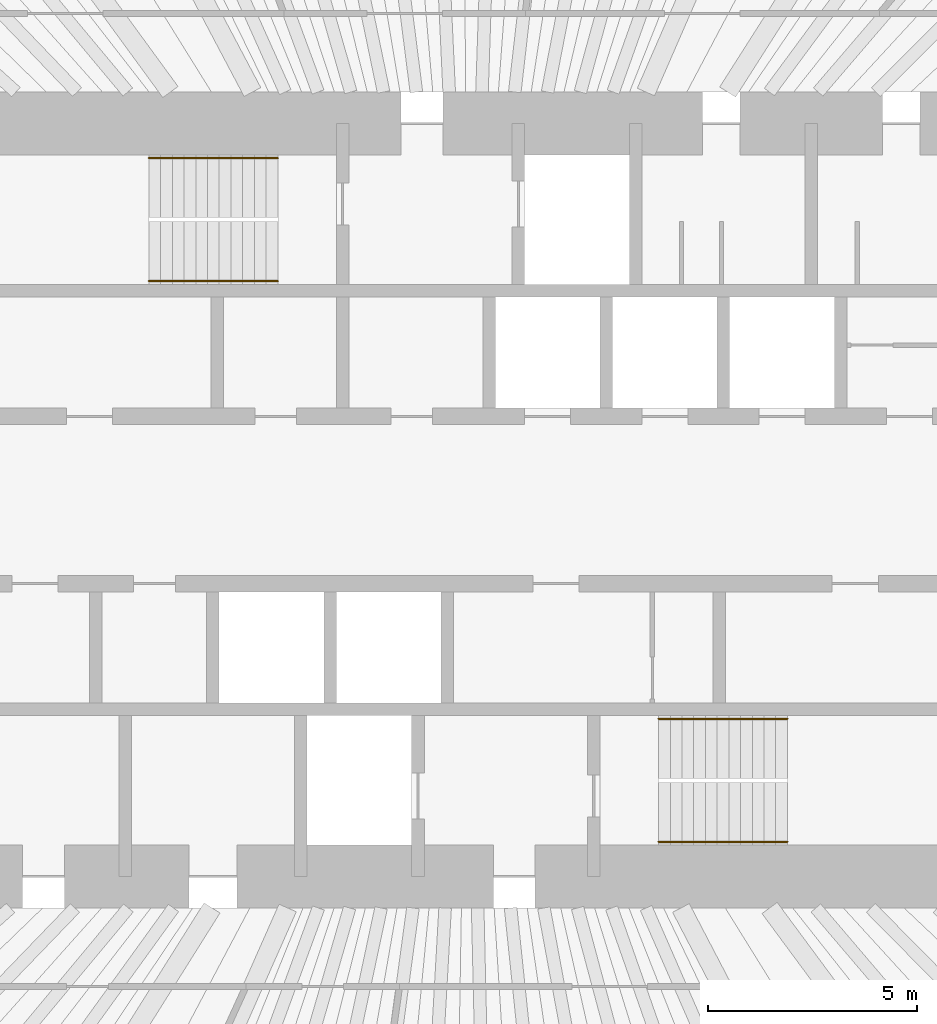
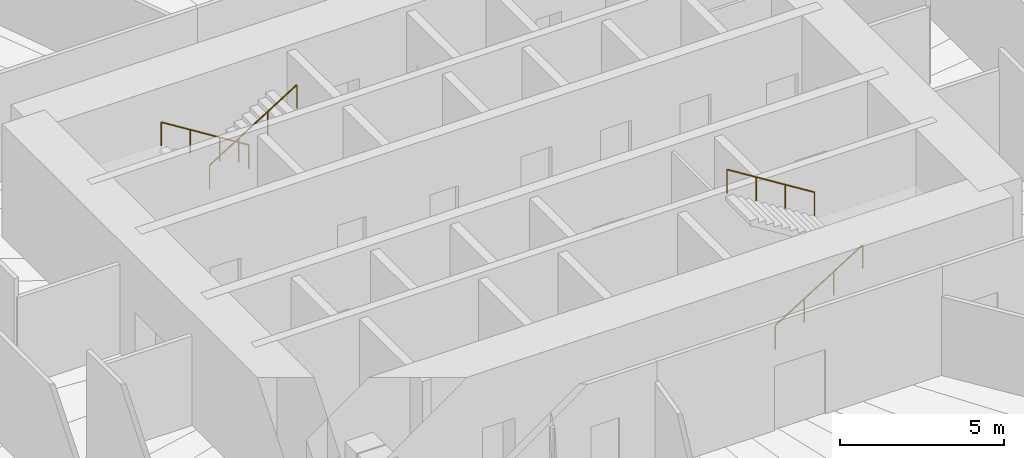
# One storey, part 13 of 13: 4 railings.
"""IFC4 building model written with IfcOpenShell, lengths in metres."""

from ifc_helpers import new_model, si_unit, direction, frame, origin, origin_2d, place, context, subcontext, project, spatial, circle, extrude, material, type_object, element, save


model = new_model("IFC4")

# Units and contexts
model_context = context("Model", 3, precision=1e-05, world=origin(), true_north=direction((0.0, 1.0)))
body_context = subcontext(model_context, "Body", "Model", "MODEL_VIEW")
ifc_project = project(units=[si_unit("LENGTHUNIT", "METRE"), si_unit("AREAUNIT", "SQUARE_METRE"), si_unit("VOLUMEUNIT", "CUBIC_METRE"), si_unit("PLANEANGLEUNIT", "RADIAN"), si_unit("MASSUNIT", "GRAM", prefix="KILO")], contexts=[model_context])

# Site, building, storey
site_placement = place(None, origin())
site = spatial("IfcSite", under=ifc_project, at=site_placement, CompositionType="ELEMENT")
building_placement = place(site_placement, origin())
building = spatial("IfcBuilding", under=site, at=building_placement, Name="Qingtian Harvest Tower", CompositionType="ELEMENT")
storey_placement = place(building_placement, frame((0.0, 0.0, 161.800048828125)))
storey = spatial("IfcBuildingStorey", under=building, at=storey_placement, Name="L34", CompositionType="ELEMENT", Elevation=161.800048828125)

# Railings
ifc_material = material(Name="Stainless steel handrail", Category="steel")
railing_type = type_object("IfcRailingType", Name="Handrail HR1", PredefinedType="HANDRAIL", material=ifc_material)
railing_1_placement = place(storey_placement, frame((-4.550048828125, 8.169921875, 0.175048828125)))
element("IfcRailing", 1, at=railing_1_placement, inside=storey, type_object=railing_type, Name="Handrail HR1 S1 flight 1", PredefinedType="HANDRAIL", context=body_context, shape_type="SweptSolid", body=[
    extrude(circle(Radius=0.02392578125, at=origin_2d()), frame((0.0, 0.0, 0.8759765625), z_axis=(-0.848009633417, 0.0, 0.529980812513), x_axis=(0.0, -1.0, 0.0)), (0.0, 0.0, 1.0), 3.6318359375),
    extrude(circle(Radius=0.02099609375, at=origin_2d()), origin(), (0.0, 0.0, 1.0), 0.851806640625),
    extrude(circle(Radius=0.02099609375, at=origin_2d()), frame((-1.026611328125, 0.0, 0.6416015625)), (0.0, 0.0, 1.0), 0.851806640625),
    extrude(circle(Radius=0.02099609375, at=origin_2d()), frame((-2.05322265625, 0.0, 1.283203125)), (0.0, 0.0, 1.0), 0.851806640625),
    extrude(circle(Radius=0.02099609375, at=origin_2d()), frame((-3.079833984375, 0.0, 1.9248046875)), (0.0, 0.0, 1.0), 0.851806640625),
])
railing_2_placement = place(storey_placement, frame((-7.6298828125, 5.22998046875, 2.27490234375)))
element("IfcRailing", 2, at=railing_2_placement, inside=storey, type_object=railing_type, Name="Handrail HR1 S1 flight 2", PredefinedType="HANDRAIL", context=body_context, shape_type="SweptSolid", body=[
    extrude(circle(Radius=0.02392578125, at=origin_2d()), frame((0.0, 0.0, 0.8759765625), z_axis=(0.847979421464, 0.0, 0.530029150871), x_axis=(0.0, 1.0, 0.0)), (0.0, 0.0, 1.0), 3.632080078125),
    extrude(circle(Radius=0.02099609375, at=origin_2d()), origin(), (0.0, 0.0, 1.0), 0.851806640625),
    extrude(circle(Radius=0.02099609375, at=origin_2d()), frame((1.026611328125, 0.0, 0.6416015625)), (0.0, 0.0, 1.0), 0.851806640625),
    extrude(circle(Radius=0.02099609375, at=origin_2d()), frame((2.05322265625, 0.0, 1.283447265625)), (0.0, 0.0, 1.0), 0.851806640625),
    extrude(circle(Radius=0.02099609375, at=origin_2d()), frame((3.079833984375, 0.0, 1.925048828125)), (0.0, 0.0, 1.0), 0.851806640625),
])
railing_3_placement = place(storey_placement, frame((4.550048828125, -8.169921875, 0.175048828125)))
element("IfcRailing", 3, at=railing_3_placement, inside=storey, type_object=railing_type, Name="Handrail HR1 S2 flight 1", PredefinedType="HANDRAIL", context=body_context, shape_type="SweptSolid", body=[
    extrude(circle(Radius=0.02392578125, at=origin_2d()), frame((0.0, 0.0, 0.8759765625), z_axis=(0.848009633417, 0.0, 0.529980812513), x_axis=(0.0, 1.0, 0.0)), (0.0, 0.0, 1.0), 3.6318359375),
    extrude(circle(Radius=0.02099609375, at=origin_2d()), origin(), (0.0, 0.0, 1.0), 0.851806640625),
    extrude(circle(Radius=0.02099609375, at=origin_2d()), frame((1.026611328125, 0.0, 0.6416015625)), (0.0, 0.0, 1.0), 0.851806640625),
    extrude(circle(Radius=0.02099609375, at=origin_2d()), frame((2.05322265625, 0.0, 1.283203125)), (0.0, 0.0, 1.0), 0.851806640625),
    extrude(circle(Radius=0.02099609375, at=origin_2d()), frame((3.079833984375, 0.0, 1.9248046875)), (0.0, 0.0, 1.0), 0.851806640625),
])
railing_4_placement = place(storey_placement, frame((7.6298828125, -5.22998046875, 2.27490234375)))
element("IfcRailing", 4, at=railing_4_placement, inside=storey, type_object=railing_type, Name="Handrail HR1 S2 flight 2", PredefinedType="HANDRAIL", context=body_context, shape_type="SweptSolid", body=[
    extrude(circle(Radius=0.02392578125, at=origin_2d()), frame((0.0, 0.0, 0.8759765625), z_axis=(-0.847979421464, 0.0, 0.530029150871), x_axis=(0.0, -1.0, 0.0)), (0.0, 0.0, 1.0), 3.632080078125),
    extrude(circle(Radius=0.02099609375, at=origin_2d()), origin(), (0.0, 0.0, 1.0), 0.851806640625),
    extrude(circle(Radius=0.02099609375, at=origin_2d()), frame((-1.026611328125, 0.0, 0.6416015625)), (0.0, 0.0, 1.0), 0.851806640625),
    extrude(circle(Radius=0.02099609375, at=origin_2d()), frame((-2.05322265625, 0.0, 1.283447265625)), (0.0, 0.0, 1.0), 0.851806640625),
    extrude(circle(Radius=0.02099609375, at=origin_2d()), frame((-3.079833984375, 0.0, 1.925048828125)), (0.0, 0.0, 1.0), 0.851806640625),
])

save(model, "model.ifc")
